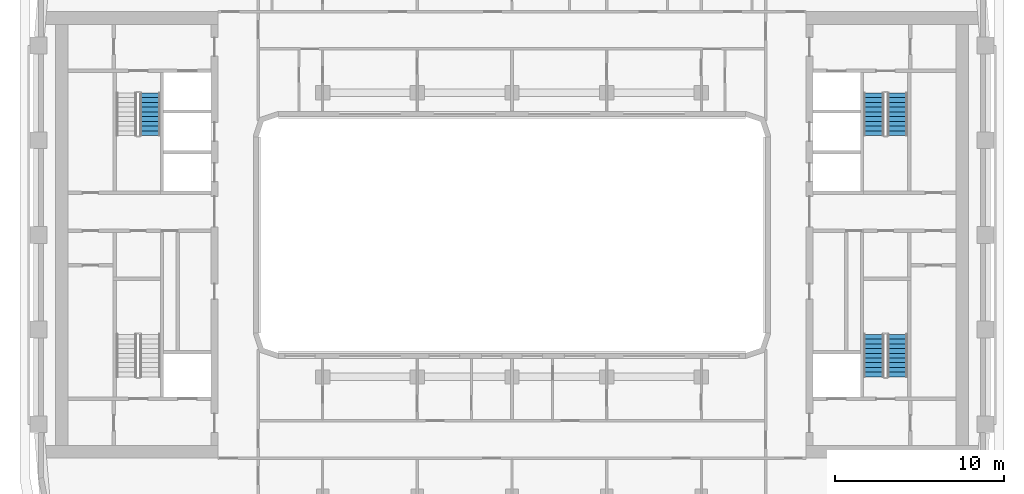
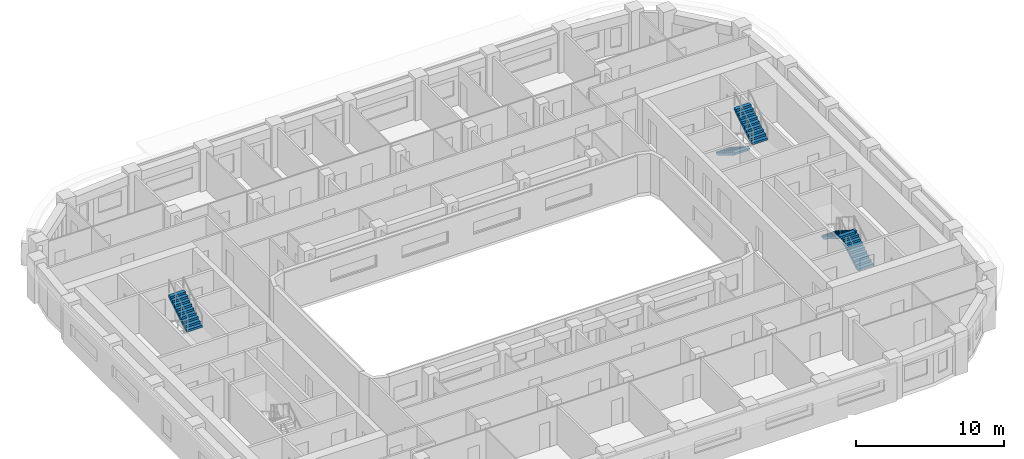
# One storey, part 10 of 22: 5 stair flights, 3 elements without a shape of their own.
"""IFC4 building model written with IfcOpenShell, lengths in metres."""

import ifcopenshell
import ifcopenshell.guid

model = None  # the IFC model being written
_history = None  # IfcOwnerHistory: only IFC2X3 demands one
_inside = {}  # id of a spatial element -> (the spatial element, [elements in it])
_under = {}  # id of a project, library or spatial element -> (it, [spatial elements below it])
_declared = {}  # id of a project -> (the project, [libraries it declares])
_typed = {}  # id of a type object -> (the type object, [elements of that type])
_made_of = {}  # id of a material, layer set ... -> (it, [elements and type objects made of it])


def new_model(schema):
    """Start an empty IFC model of exactly this schema.

    Asked for "IFC4X3", IfcOpenShell would pick the latest addendum, in which some entities
    have other attributes; the version numbers below select the first issue.
    IFC2X3 requires an IfcOwnerHistory on every rooted entity: one is made here for all.
    """
    global model, _history
    if schema == "IFC4X3":
        model = ifcopenshell.file(schema_version=(4, 3, 0, 0))
    else:
        model = ifcopenshell.file(schema=schema)
    _inside.clear()
    _under.clear()
    _declared.clear()
    _typed.clear()
    _made_of.clear()
    _history = None
    if model.schema == "IFC2X3":
        org = make("IfcOrganization", Name="unknown")
        user = make(
            "IfcPersonAndOrganization",
            ThePerson=make("IfcPerson", FamilyName="unknown"),
            TheOrganization=org,
        )
        app = make(
            "IfcApplication",
            ApplicationDeveloper=org,
            Version="unknown",
            ApplicationFullName="unknown",
            ApplicationIdentifier="unknown",
        )
        _history = make(
            "IfcOwnerHistory",
            OwningUser=user,
            OwningApplication=app,
            ChangeAction="ADDED",
            CreationDate=0,
        )
    return model


def make(cls, **values):
    """One entity of the class cls with the attributes given. An attribute that is None is left unset."""
    return model.create_entity(
        cls, **{name: value for name, value in values.items() if value is not None}
    )


def rooted(cls, **values):
    """An entity with a GlobalId (a new one), such as an element, a storey or a relation."""
    return make(cls, GlobalId=ifcopenshell.guid.new(), OwnerHistory=_history, **values)


def si_unit(unit_type, name, prefix=None):
    """IfcSIUnit, for example si_unit("LENGTHUNIT", "METRE", prefix="MILLI")."""
    return make("IfcSIUnit", UnitType=unit_type, Prefix=prefix, Name=name)


def assignment(units):
    """IfcUnitAssignment: the units of a project."""
    return None if units is None else make("IfcUnitAssignment", Units=units)


def point(xyz):
    """IfcCartesianPoint."""
    return None if xyz is None else make("IfcCartesianPoint", Coordinates=xyz)


def direction(xyz):
    """IfcDirection."""
    return None if xyz is None else make("IfcDirection", DirectionRatios=xyz)


def frame(location, z_axis=None, x_axis=None):
    """IfcAxis2Placement3D, a coordinate frame: its origin and axes. An axis left out is left unset."""
    return make(
        "IfcAxis2Placement3D",
        Location=point(location),
        Axis=direction(z_axis),
        RefDirection=direction(x_axis),
    )


def origin():
    """The frame at (0, 0, 0) with its axes left unset."""
    return frame((0.0, 0.0, 0.0))


def place(relative_to, where):
    """IfcLocalPlacement: puts the frame where relative to a parent placement (None: the world)."""
    return make(
        "IfcLocalPlacement", PlacementRelTo=relative_to, RelativePlacement=where
    )


def context(
    kind, dimensions, precision=None, world=None, true_north=None, identifier=None
):
    """IfcGeometricRepresentationContext, for example the 3D "Model" context."""
    return make(
        "IfcGeometricRepresentationContext",
        ContextIdentifier=identifier,
        ContextType=kind,
        CoordinateSpaceDimension=dimensions,
        Precision=precision,
        WorldCoordinateSystem=world,
        TrueNorth=true_north,
    )


def subcontext(parent, identifier, kind, view, scale=None):
    """IfcGeometricRepresentationSubContext, for example "Body" below "Model"."""
    return make(
        "IfcGeometricRepresentationSubContext",
        ContextIdentifier=identifier,
        ContextType=kind,
        ParentContext=parent,
        TargetScale=scale,
        TargetView=view,
    )


def project(units=None, contexts=None):
    """IfcProject with its units and contexts."""
    return rooted(
        "IfcProject",
        Name="project",
        RepresentationContexts=contexts,
        UnitsInContext=assignment(units),
    )


def spatial(cls, under=None, at=None, **own):
    """A site, building, storey or space (cls), placed at a placement, below another one or the project."""
    s = rooted(cls, ObjectPlacement=at, **own)
    if under is not None:
        _under.setdefault(under.id(), (under, []))[1].append(s)
    return s


def polyline(points):
    """IfcPolyline through the points."""
    return make("IfcPolyline", Points=[point(p) for p in points])


def outline(outer, holes=None, kind="AREA"):
    """IfcArbitraryClosedProfileDef: a profile drawn as a closed curve; with holes, ...WithVoids."""
    if holes is None:
        return make("IfcArbitraryClosedProfileDef", ProfileType=kind, OuterCurve=outer)
    return make(
        "IfcArbitraryProfileDefWithVoids",
        ProfileType=kind,
        OuterCurve=outer,
        InnerCurves=holes,
    )


def extrude(swept, where, along, depth):
    """IfcExtrudedAreaSolid: the profile swept, set in the frame where, extruded along a direction by depth."""
    return make(
        "IfcExtrudedAreaSolid",
        SweptArea=swept,
        Position=where,
        ExtrudedDirection=direction(along),
        Depth=depth,
    )


def shape(context_of_items, identifier, shape_type, items):
    """IfcShapeRepresentation: the items that make up one representation, for example the "Body"."""
    return make(
        "IfcShapeRepresentation",
        ContextOfItems=context_of_items,
        RepresentationIdentifier=identifier,
        RepresentationType=shape_type,
        Items=items,
    )


def material(Name=None, Category=None):
    """IfcMaterial."""
    return make("IfcMaterial", Name=Name, Category=Category)


def made_of(thing, what):
    """Note that an element or type object is made of a material, layer set ...; save() writes the relation."""
    if what is not None:
        _made_of.setdefault(what.id(), (what, []))[1].append(thing)
    return thing


def type_object(cls, material=None, **own):
    """A type object (cls), such as IfcWallType, which elements share."""
    return made_of(rooted(cls, **own), material)


def element(
    cls,
    number,
    at=None,
    inside=None,
    cuts=None,
    type_object=None,
    material=None,
    context=None,
    identifier="Body",
    shape_type=None,
    held_by="IfcProductDefinitionShape",
    body=None,
    shapes=None,
    **own,
):
    """One element of the class cls, such as IfcWall. Its Tag is "e" and its number.

    at: its placement. inside: the storey or other place that contains it. cuts: it is an
    opening in that element (IfcRelVoidsElement). A single representation is given by context,
    identifier, shape_type and body (its items); several are given by shapes. held_by: the class
    of the entity that holds the representations. save() writes the other relations.
    """
    e = rooted(cls, Tag="e%d" % number, ObjectPlacement=at, **own)
    if body is not None:
        shapes = [shape(context, identifier, shape_type, body)]
    if shapes is not None:
        e.Representation = make(held_by, Representations=shapes)
    if inside is not None:
        _inside.setdefault(inside.id(), (inside, []))[1].append(e)
    if cuts is not None:
        rooted(
            "IfcRelVoidsElement", RelatingBuildingElement=cuts, RelatedOpeningElement=e
        )
    if type_object is not None:
        _typed.setdefault(type_object.id(), (type_object, []))[1].append(e)
    return made_of(e, material)


def aggregate(whole, parts):
    """IfcRelAggregates: a whole, such as a stair, and the parts it consists of."""
    return rooted("IfcRelAggregates", RelatingObject=whole, RelatedObjects=parts)


def save(model, path):
    """Write the relations noted so far, then the file.

    IfcRelAggregates (storeys below a building ...), IfcRelContainedInSpatialStructure (elements
    in a storey), IfcRelDefinesByType, IfcRelAssociatesMaterial and IfcRelDeclares: one each for
    every whole, place, type object, material and project.
    """
    for whole, parts in _under.values():
        aggregate(whole, parts)
    for where, things in _inside.values():
        rooted(
            "IfcRelContainedInSpatialStructure",
            RelatedElements=things,
            RelatingStructure=where,
        )
    for kind, things in _typed.values():
        rooted("IfcRelDefinesByType", RelatedObjects=things, RelatingType=kind)
    for what, things in _made_of.values():
        rooted("IfcRelAssociatesMaterial", RelatedObjects=things, RelatingMaterial=what)
    for by, libraries in _declared.values():
        rooted("IfcRelDeclares", RelatingContext=by, RelatedDefinitions=libraries)
    model.write(path)


model = new_model("IFC4")

# Units and contexts
model_context = context("Model", 3, precision=1e-05, world=origin(), true_north=direction((0.0, 1.0)))
body_context = subcontext(model_context, "Body", "Model", "MODEL_VIEW")
ifc_project = project(units=[si_unit("LENGTHUNIT", "METRE"), si_unit("AREAUNIT", "SQUARE_METRE"), si_unit("VOLUMEUNIT", "CUBIC_METRE"), si_unit("PLANEANGLEUNIT", "RADIAN"), si_unit("MASSUNIT", "GRAM", prefix="KILO")], contexts=[model_context])

# Site, building, storey
site_placement = place(None, origin())
site = spatial("IfcSite", under=ifc_project, at=site_placement, CompositionType="ELEMENT")
building_placement = place(site_placement, origin())
building = spatial("IfcBuilding", under=site, at=building_placement, Name="Kiln Ring Residences", CompositionType="ELEMENT")
storey_placement = place(building_placement, frame((0.0, 0.0, 167.60009765625)))
storey = spatial("IfcBuildingStorey", under=building, at=storey_placement, Name="L43", CompositionType="ELEMENT", Elevation=167.60009765625)

# Stair, stair flight
ifc_material_1 = material(Name="Concrete C40/50", Category="concrete")
stair_type = type_object("IfcStairType", Name="CORE-STAIR", PredefinedType="HALF_TURN_STAIR", material=ifc_material_1)
placement = place(storey_placement, origin())
stair_1 = element("IfcStair", 1, at=placement, inside=storey, type_object=stair_type, Name="L43 stair W-STN", PredefinedType="HALF_TURN_STAIR")
ifc_material_2 = material(Name="Concrete C40/50", Category="concrete")
stair_flight_type = type_object("IfcStairFlightType", Name="CORE-STAIR-FLIGHT", PredefinedType="STRAIGHT", material=ifc_material_2)
stair_flight_1_placement = place(storey_placement, frame((-21.39990234375, 5.8798828125, 1.75), z_axis=(0.0, 0.0, 1.0), x_axis=(0.0, 1.0, 0.0)))
stair_flight_1 = element("IfcStairFlight", 2, at=stair_flight_1_placement, type_object=stair_flight_type, Name="W-STN flight 2", NumberOfRisers=10, NumberOfTreads=9, PredefinedType="STRAIGHT", RiserHeight=0.175, TreadLength=0.28, context=body_context, shape_type="SweptSolid", body=[
    extrude(outline(polyline([(0.0, 0.0), (0.0, 0.175048828125), (0.280029296875, 0.175048828125), (0.280029296875, 0.35009765625), (0.56005859375, 0.35009765625), (0.56005859375, 0.52490234375), (0.840087890625, 0.52490234375), (0.840087890625, 0.699951171875), (1.1201171875, 0.699951171875), (1.1201171875, 0.875), (1.39990234375, 0.875), (1.39990234375, 1.050048828125), (1.679931640625, 1.050048828125), (1.679931640625, 1.22509765625), (1.9599609375, 1.22509765625), (1.9599609375, 1.39990234375), (2.239990234375, 1.39990234375), (2.239990234375, 1.574951171875), (2.52001953125, 1.574951171875), (2.52001953125, 1.75), (2.52001953125, 1.398193359375), (0.28271484375, 0.0), (0.0, 0.0)])), frame((0.0, 0.60009765625, 0.0), z_axis=(0.0, -1.0, 0.0), x_axis=(1.0, 0.0, 0.0)), (0.0, 0.0, 1.0), 1.199951171875),
])
aggregate(stair_1, [stair_flight_1])

# Stair, stair flights
stair_2 = element("IfcStair", 3, at=placement, inside=storey, type_object=stair_type, Name="L43 stair E-STN", PredefinedType="HALF_TURN_STAIR")
stair_flight_2_placement = place(storey_placement, frame((21.39990234375, 8.39990234375, 0.0), z_axis=(0.0, 0.0, 1.0), x_axis=(0.0, -1.0, 0.0)))
stair_flight_2 = element("IfcStairFlight", 4, at=stair_flight_2_placement, type_object=stair_flight_type, Name="E-STN flight 1", NumberOfRisers=10, NumberOfTreads=9, PredefinedType="STRAIGHT", RiserHeight=0.175, TreadLength=0.28, context=body_context, shape_type="SweptSolid", body=[
    extrude(outline(polyline([(0.0, 0.0), (0.0, 0.175048828125), (0.280029296875, 0.175048828125), (0.280029296875, 0.35009765625), (0.56005859375, 0.35009765625), (0.56005859375, 0.52490234375), (0.840087890625, 0.52490234375), (0.840087890625, 0.699951171875), (1.1201171875, 0.699951171875), (1.1201171875, 0.875), (1.39990234375, 0.875), (1.39990234375, 1.050048828125), (1.679931640625, 1.050048828125), (1.679931640625, 1.22509765625), (1.9599609375, 1.22509765625), (1.9599609375, 1.39990234375), (2.239990234375, 1.39990234375), (2.239990234375, 1.574951171875), (2.52001953125, 1.574951171875), (2.52001953125, 1.75), (2.52001953125, 1.398193359375), (0.28271484375, 0.0), (0.0, 0.0)])), frame((0.0, 0.60009765625, 0.0), z_axis=(0.0, -1.0, 0.0), x_axis=(1.0, 0.0, 0.0)), (0.0, 0.0, 1.0), 1.199951171875),
])
stair_flight_3_placement = place(storey_placement, frame((22.800048828125, 5.8798828125, 1.75), z_axis=(0.0, 0.0, 1.0), x_axis=(0.0, 1.0, 0.0)))
stair_flight_3 = element("IfcStairFlight", 5, at=stair_flight_3_placement, type_object=stair_flight_type, Name="E-STN flight 2", NumberOfRisers=10, NumberOfTreads=9, PredefinedType="STRAIGHT", RiserHeight=0.175, TreadLength=0.28, context=body_context, shape_type="SweptSolid", body=[
    extrude(outline(polyline([(0.0, 0.0), (0.0, 0.175048828125), (0.280029296875, 0.175048828125), (0.280029296875, 0.35009765625), (0.56005859375, 0.35009765625), (0.56005859375, 0.52490234375), (0.840087890625, 0.52490234375), (0.840087890625, 0.699951171875), (1.1201171875, 0.699951171875), (1.1201171875, 0.875), (1.39990234375, 0.875), (1.39990234375, 1.050048828125), (1.679931640625, 1.050048828125), (1.679931640625, 1.22509765625), (1.9599609375, 1.22509765625), (1.9599609375, 1.39990234375), (2.239990234375, 1.39990234375), (2.239990234375, 1.574951171875), (2.52001953125, 1.574951171875), (2.52001953125, 1.75), (2.52001953125, 1.398193359375), (0.28271484375, 0.0), (0.0, 0.0)])), frame((0.0, 0.60009765625, 0.0), z_axis=(0.0, -1.0, 0.0), x_axis=(1.0, 0.0, 0.0)), (0.0, 0.0, 1.0), 1.199951171875),
])
aggregate(stair_2, [stair_flight_2, stair_flight_3])

stair_3 = element("IfcStair", 6, at=placement, inside=storey, type_object=stair_type, Name="L43 stair E-STS", PredefinedType="HALF_TURN_STAIR")
stair_flight_4_placement = place(storey_placement, frame((22.800048828125, -8.39990234375, 0.0), z_axis=(0.0, 0.0, 1.0), x_axis=(0.0, 1.0, 0.0)))
stair_flight_4 = element("IfcStairFlight", 7, at=stair_flight_4_placement, type_object=stair_flight_type, Name="E-STS flight 1", NumberOfRisers=10, NumberOfTreads=9, PredefinedType="STRAIGHT", RiserHeight=0.175, TreadLength=0.28, context=body_context, shape_type="SweptSolid", body=[
    extrude(outline(polyline([(0.0, 0.0), (0.0, 0.175048828125), (0.280029296875, 0.175048828125), (0.280029296875, 0.35009765625), (0.56005859375, 0.35009765625), (0.56005859375, 0.52490234375), (0.840087890625, 0.52490234375), (0.840087890625, 0.699951171875), (1.1201171875, 0.699951171875), (1.1201171875, 0.875), (1.39990234375, 0.875), (1.39990234375, 1.050048828125), (1.679931640625, 1.050048828125), (1.679931640625, 1.22509765625), (1.9599609375, 1.22509765625), (1.9599609375, 1.39990234375), (2.239990234375, 1.39990234375), (2.239990234375, 1.574951171875), (2.52001953125, 1.574951171875), (2.52001953125, 1.75), (2.52001953125, 1.398193359375), (0.28271484375, 0.0), (0.0, 0.0)])), frame((0.0, 0.60009765625, 0.0), z_axis=(0.0, -1.0, 0.0), x_axis=(1.0, 0.0, 0.0)), (0.0, 0.0, 1.0), 1.199951171875),
])
stair_flight_5_placement = place(storey_placement, frame((21.39990234375, -5.8798828125, 1.75), z_axis=(0.0, 0.0, 1.0), x_axis=(0.0, -1.0, 0.0)))
stair_flight_5 = element("IfcStairFlight", 8, at=stair_flight_5_placement, type_object=stair_flight_type, Name="E-STS flight 2", NumberOfRisers=10, NumberOfTreads=9, PredefinedType="STRAIGHT", RiserHeight=0.175, TreadLength=0.28, context=body_context, shape_type="SweptSolid", body=[
    extrude(outline(polyline([(0.0, 0.0), (0.0, 0.175048828125), (0.280029296875, 0.175048828125), (0.280029296875, 0.35009765625), (0.56005859375, 0.35009765625), (0.56005859375, 0.52490234375), (0.840087890625, 0.52490234375), (0.840087890625, 0.699951171875), (1.1201171875, 0.699951171875), (1.1201171875, 0.875), (1.39990234375, 0.875), (1.39990234375, 1.050048828125), (1.679931640625, 1.050048828125), (1.679931640625, 1.22509765625), (1.9599609375, 1.22509765625), (1.9599609375, 1.39990234375), (2.239990234375, 1.39990234375), (2.239990234375, 1.574951171875), (2.52001953125, 1.574951171875), (2.52001953125, 1.75), (2.52001953125, 1.398193359375), (0.28271484375, 0.0), (0.0, 0.0)])), frame((0.0, 0.60009765625, 0.0), z_axis=(0.0, -1.0, 0.0), x_axis=(1.0, 0.0, 0.0)), (0.0, 0.0, 1.0), 1.199951171875),
])
aggregate(stair_3, [stair_flight_4, stair_flight_5])

save(model, "model.ifc")
